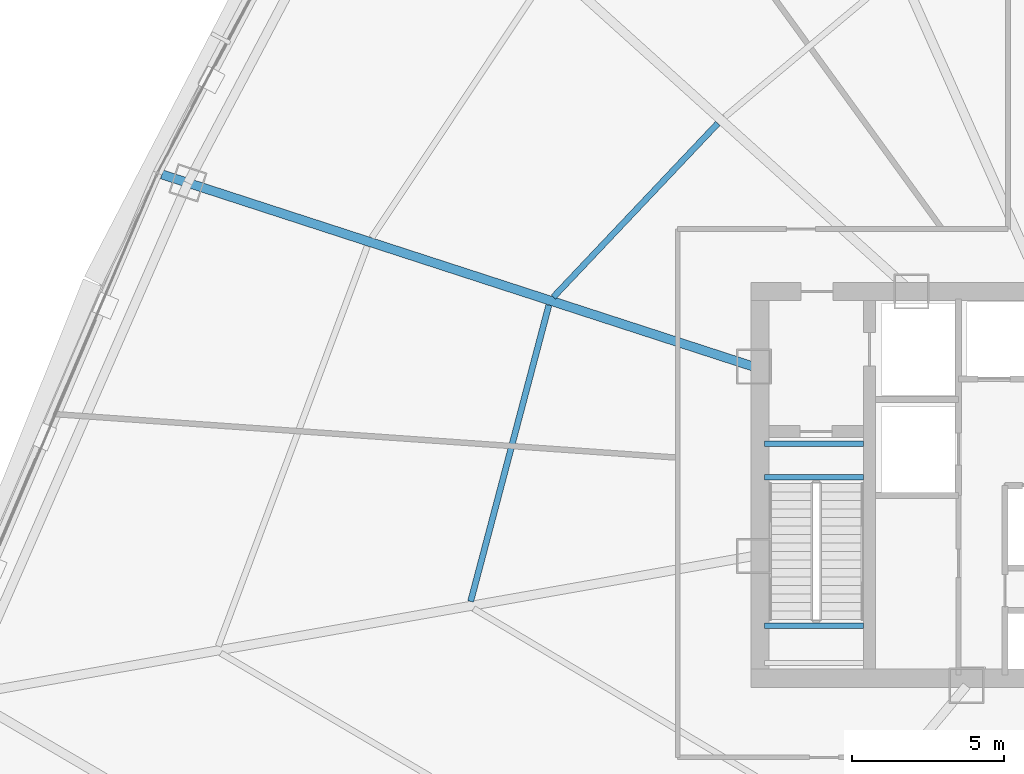
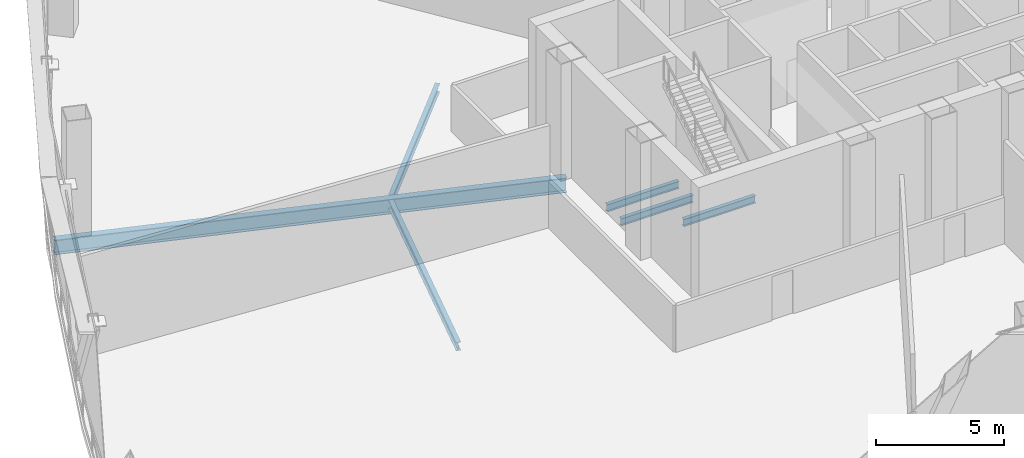
# One storey, part 8 of 36: 6 beams.
"""IFC4 building model written with IfcOpenShell, lengths in metres."""

from ifc_helpers import new_model, si_unit, direction, frame, origin, origin_2d, place, context, subcontext, project, spatial, i_section, extrude, source, transform, mapped, material, material_profile, profile_set, type_object, element, save


model = new_model("IFC4")

# Units and contexts
model_context = context("Model", 3, precision=1e-05, world=origin(), true_north=direction((0.0, 1.0)))
body_context = subcontext(model_context, "Body", "Model", "MODEL_VIEW")
ifc_project = project(units=[si_unit("LENGTHUNIT", "METRE"), si_unit("AREAUNIT", "SQUARE_METRE"), si_unit("VOLUMEUNIT", "CUBIC_METRE"), si_unit("PLANEANGLEUNIT", "RADIAN"), si_unit("MASSUNIT", "GRAM", prefix="KILO"), si_unit("THERMODYNAMICTEMPERATUREUNIT", "KELVIN"), si_unit("POWERUNIT", "WATT")], contexts=[model_context])

# Site, building, storey
site_placement = place(None, origin())
site = spatial("IfcSite", under=ifc_project, at=site_placement, CompositionType="ELEMENT")
building_placement = place(site_placement, origin())
building = spatial("IfcBuilding", under=site, at=building_placement, Name="Yunzhuo Pagoda Commons", CompositionType="ELEMENT")
storey_placement = place(building_placement, frame((0.0, 0.0, 119.179931640625)))
storey = spatial("IfcBuildingStorey", under=building, at=storey_placement, Name="L30", CompositionType="ELEMENT", Elevation=119.179931640625)

# Beams
ifc_material = material(Name="Structural steel Q355B", Category="steel")
ifc_material_profile_1 = material_profile(ifc_material, i_section(OverallWidth=0.175048828125, OverallDepth=0.35009765625, WebThickness=0.007080078125, FlangeThickness=0.010986328125, at=origin_2d()), Name="Structural steel Q355B")
ifc_profile_set_1 = profile_set([ifc_material_profile_1], Name="Structural steel Q355B")
beam_type_1 = type_object("IfcBeamType", Name="B-JS2 Joist HN 350x175x7x11", PredefinedType="JOIST", material=ifc_profile_set_1)
shared_shape_1 = source(origin(), body_context, "Body", "SweptSolid", [
    extrude(i_section(OverallWidth=0.175048828125, OverallDepth=0.35009765625, WebThickness=0.007080078125, FlangeThickness=0.010986328125, at=origin_2d()), origin(), (0.0, 0.0, 1.0), 3.25),
])
for number, where, z_axis, x_axis, name in (
    (1, (35.949951171875, 29.219970703125, 2.55029296875), (1.0, 0.0, 0.0), (0.0, 1.0, 0.0), "L30 ST1 landing support beam 36B"),
    (2, (35.949951171875, 34.10009765625, -0.375), (1.0, 0.0, 0.0), (0.0, 1.0, 0.0), "L30 ST1 landing support beam 134A"),
    (3, (35.949951171875, 35.199951171875, -0.375), (1.0, 0.0, 0.0), (0.0, 1.0, 0.0), "L30 ST1 landing support beam 134B"),
):
    element("IfcBeam", number, at=place(storey_placement, frame(where, z_axis=z_axis, x_axis=x_axis)), inside=storey, type_object=beam_type_1, Name=name, PredefinedType="JOIST", context=body_context, shape_type="MappedRepresentation", body=[
        mapped(shared_shape_1, transform((0.0, 0.0, 0.0), scale=1.0)),
    ])
ifc_material_profile_2 = material_profile(ifc_material, i_section(OverallWidth=0.199951171875, OverallDepth=0.39990234375, WebThickness=0.008056640625, FlangeThickness=0.012939453125, at=origin_2d()), Name="Structural steel Q355B")
ifc_profile_set_2 = profile_set([ifc_material_profile_2], Name="Structural steel Q355B")
beam_type_2 = type_object("IfcBeamType", Name="B-JS1 Joist HN 400x200x8x13", PredefinedType="JOIST", material=ifc_profile_set_2)
shared_shape_2 = source(origin(), body_context, "Body", "SweptSolid", [
    extrude(i_section(OverallWidth=0.199951171875, OverallDepth=0.39990234375, WebThickness=0.008056640625, FlangeThickness=0.012939453125, at=origin_2d()), origin(), (0.0, 0.0, 1.0), 10.0634765625),
])
beam_1_placement = place(storey_placement, frame((28.86669921875, 39.749755859375, -0.47998046875), z_axis=(-0.255289713136, -0.966864603948, 0.0), x_axis=(0.966864603948, -0.255289713136, 0.0)))
element("IfcBeam", 4, at=beam_1_placement, inside=storey, type_object=beam_type_2, Name="L30 composite ring joist 1.11", PredefinedType="JOIST", context=body_context, shape_type="MappedRepresentation", body=[
    mapped(shared_shape_2, transform((0.0, 0.0, 0.0), scale=1.0)),
])
shared_shape_3 = source(origin(), body_context, "Body", "SweptSolid", [
    extrude(i_section(OverallWidth=0.199951171875, OverallDepth=0.39990234375, WebThickness=0.008056640625, FlangeThickness=0.012939453125, at=origin_2d()), origin(), (0.0, 0.0, 1.0), 7.85009765625),
])
beam_2_placement = place(storey_placement, frame((34.41357421875, 45.719482421875, -0.47998046875), z_axis=(-0.687513423145, -0.726171669095, 0.0), x_axis=(0.726171669095, -0.687513423145, 0.0)))
element("IfcBeam", 5, at=beam_2_placement, inside=storey, type_object=beam_type_2, Name="L30 composite ring joist 1.10", PredefinedType="JOIST", context=body_context, shape_type="MappedRepresentation", body=[
    mapped(shared_shape_3, transform((0.0, 0.0, 0.0), scale=1.0)),
])
ifc_material_profile_3 = material_profile(ifc_material, i_section(OverallWidth=0.300048828125, OverallDepth=0.699951171875, WebThickness=0.012939453125, FlangeThickness=0.02392578125, at=origin_2d()), Name="Structural steel Q355B")
ifc_profile_set_3 = profile_set([ifc_material_profile_3], Name="Structural steel Q355B")
beam_type_3 = type_object("IfcBeamType", Name="B-RG1 Beam HN 700x300x13x24", PredefinedType="BEAM", material=ifc_profile_set_3)
shared_shape_4 = source(origin(), body_context, "Body", "SweptSolid", [
    extrude(i_section(OverallWidth=0.300048828125, OverallDepth=0.699951171875, WebThickness=0.012939453125, FlangeThickness=0.02392578125, at=origin_2d()), origin(), (0.0, 0.0, 1.0), 20.442626953125),
])
beam_3_placement = place(storey_placement, frame((16.157958984375, 44.046142578125, -0.6298828125), z_axis=(0.951056446131, -0.309017210318, 0.0), x_axis=(0.309017210318, 0.951056446131, 0.0)))
element("IfcBeam", 6, at=beam_3_placement, inside=storey, type_object=beam_type_3, Name="L30 radial floor girder F3C3", PredefinedType="BEAM", context=body_context, shape_type="MappedRepresentation", body=[
    mapped(shared_shape_4, transform((0.0, 0.0, 0.0), scale=1.0)),
])

save(model, "model.ifc")
